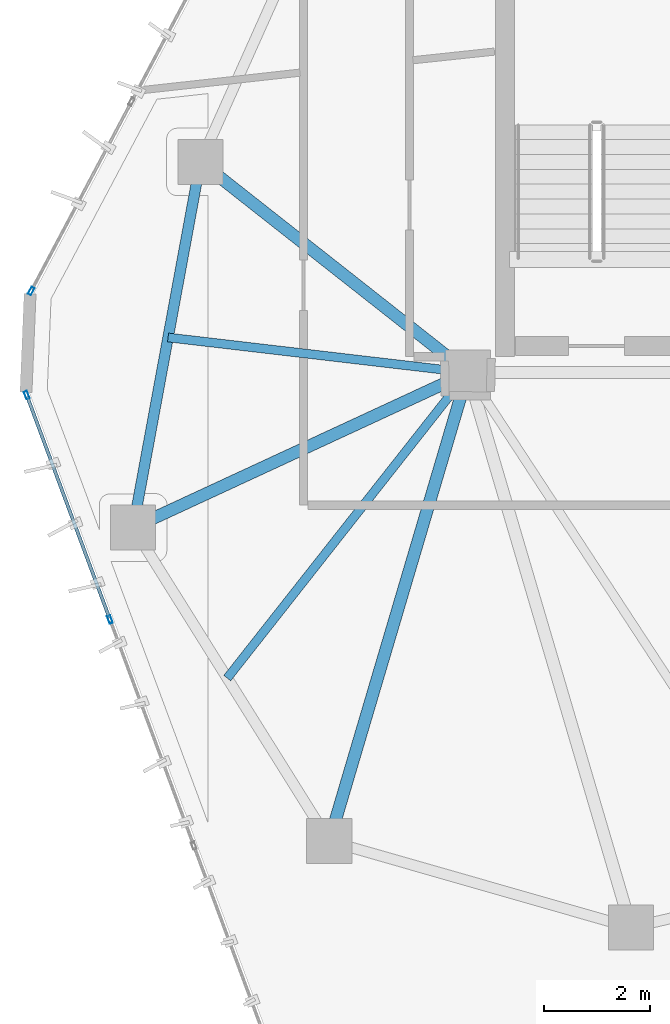
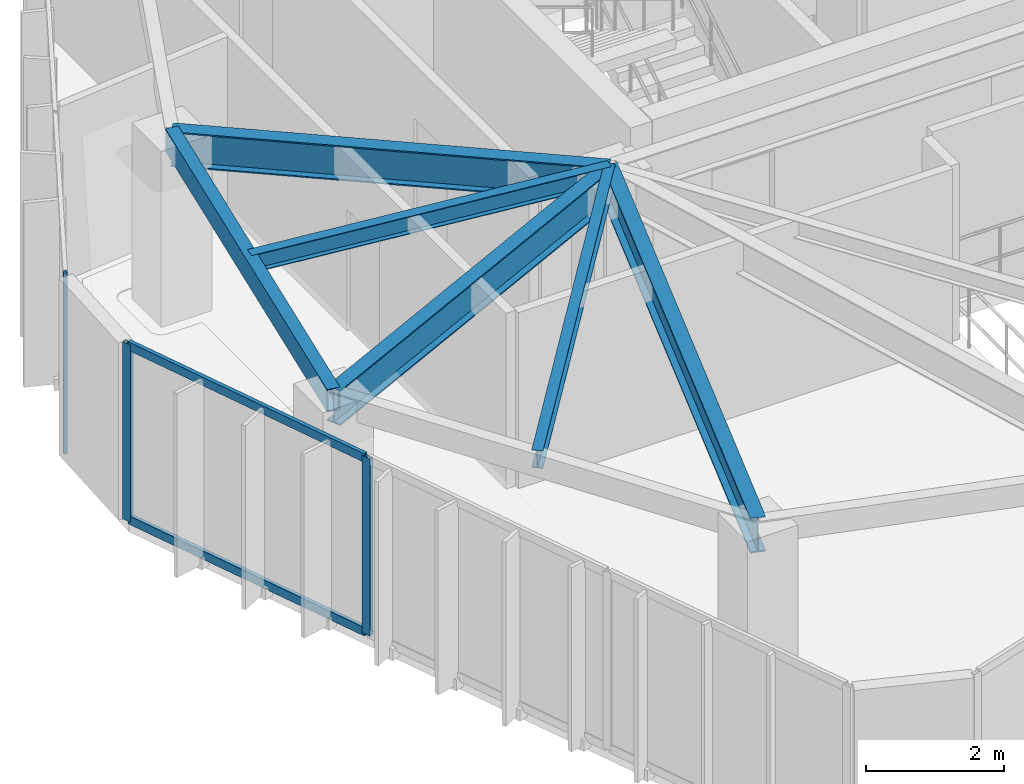
# One storey, part 4 of 19: 6 beams, 5 members, 2 elements without a shape of their own.
"""IFC4 building model written with IfcOpenShell, lengths in metres."""

import ifcopenshell
import ifcopenshell.guid

model = None  # the IFC model being written
_history = None  # IfcOwnerHistory: only IFC2X3 demands one
_inside = {}  # id of a spatial element -> (the spatial element, [elements in it])
_under = {}  # id of a project, library or spatial element -> (it, [spatial elements below it])
_declared = {}  # id of a project -> (the project, [libraries it declares])
_typed = {}  # id of a type object -> (the type object, [elements of that type])
_made_of = {}  # id of a material, layer set ... -> (it, [elements and type objects made of it])


def new_model(schema):
    """Start an empty IFC model of exactly this schema.

    Asked for "IFC4X3", IfcOpenShell would pick the latest addendum, in which some entities
    have other attributes; the version numbers below select the first issue.
    IFC2X3 requires an IfcOwnerHistory on every rooted entity: one is made here for all.
    """
    global model, _history
    if schema == "IFC4X3":
        model = ifcopenshell.file(schema_version=(4, 3, 0, 0))
    else:
        model = ifcopenshell.file(schema=schema)
    _inside.clear()
    _under.clear()
    _declared.clear()
    _typed.clear()
    _made_of.clear()
    _history = None
    if model.schema == "IFC2X3":
        org = make("IfcOrganization", Name="unknown")
        user = make(
            "IfcPersonAndOrganization",
            ThePerson=make("IfcPerson", FamilyName="unknown"),
            TheOrganization=org,
        )
        app = make(
            "IfcApplication",
            ApplicationDeveloper=org,
            Version="unknown",
            ApplicationFullName="unknown",
            ApplicationIdentifier="unknown",
        )
        _history = make(
            "IfcOwnerHistory",
            OwningUser=user,
            OwningApplication=app,
            ChangeAction="ADDED",
            CreationDate=0,
        )
    return model


def make(cls, **values):
    """One entity of the class cls with the attributes given. An attribute that is None is left unset."""
    return model.create_entity(
        cls, **{name: value for name, value in values.items() if value is not None}
    )


def rooted(cls, **values):
    """An entity with a GlobalId (a new one), such as an element, a storey or a relation."""
    return make(cls, GlobalId=ifcopenshell.guid.new(), OwnerHistory=_history, **values)


def si_unit(unit_type, name, prefix=None):
    """IfcSIUnit, for example si_unit("LENGTHUNIT", "METRE", prefix="MILLI")."""
    return make("IfcSIUnit", UnitType=unit_type, Prefix=prefix, Name=name)


def assignment(units):
    """IfcUnitAssignment: the units of a project."""
    return None if units is None else make("IfcUnitAssignment", Units=units)


def point(xyz):
    """IfcCartesianPoint."""
    return None if xyz is None else make("IfcCartesianPoint", Coordinates=xyz)


def direction(xyz):
    """IfcDirection."""
    return None if xyz is None else make("IfcDirection", DirectionRatios=xyz)


def frame(location, z_axis=None, x_axis=None):
    """IfcAxis2Placement3D, a coordinate frame: its origin and axes. An axis left out is left unset."""
    return make(
        "IfcAxis2Placement3D",
        Location=point(location),
        Axis=direction(z_axis),
        RefDirection=direction(x_axis),
    )


def frame_2d(location, x_axis=None):
    """IfcAxis2Placement2D, a coordinate frame in the plane: its origin and x axis."""
    return make(
        "IfcAxis2Placement2D", Location=point(location), RefDirection=direction(x_axis)
    )


def origin():
    """The frame at (0, 0, 0) with its axes left unset."""
    return frame((0.0, 0.0, 0.0))


def origin_2d():
    """The frame at (0, 0) in the plane with its x axis left unset."""
    return frame_2d((0.0, 0.0))


def place(relative_to, where):
    """IfcLocalPlacement: puts the frame where relative to a parent placement (None: the world)."""
    return make(
        "IfcLocalPlacement", PlacementRelTo=relative_to, RelativePlacement=where
    )


def context(
    kind, dimensions, precision=None, world=None, true_north=None, identifier=None
):
    """IfcGeometricRepresentationContext, for example the 3D "Model" context."""
    return make(
        "IfcGeometricRepresentationContext",
        ContextIdentifier=identifier,
        ContextType=kind,
        CoordinateSpaceDimension=dimensions,
        Precision=precision,
        WorldCoordinateSystem=world,
        TrueNorth=true_north,
    )


def subcontext(parent, identifier, kind, view, scale=None):
    """IfcGeometricRepresentationSubContext, for example "Body" below "Model"."""
    return make(
        "IfcGeometricRepresentationSubContext",
        ContextIdentifier=identifier,
        ContextType=kind,
        ParentContext=parent,
        TargetScale=scale,
        TargetView=view,
    )


def project(units=None, contexts=None):
    """IfcProject with its units and contexts."""
    return rooted(
        "IfcProject",
        Name="project",
        RepresentationContexts=contexts,
        UnitsInContext=assignment(units),
    )


def spatial(cls, under=None, at=None, **own):
    """A site, building, storey or space (cls), placed at a placement, below another one or the project."""
    s = rooted(cls, ObjectPlacement=at, **own)
    if under is not None:
        _under.setdefault(under.id(), (under, []))[1].append(s)
    return s


def profile(cls, at=None, kind="AREA", **sizes):
    """A parametric profile (cls). Its sizes go by their IFC names, for example OverallWidth=200.0."""
    return make(cls, ProfileType=kind, Position=at, **sizes)


def hollow_rectangle(**sizes):
    """IfcRectangleHollowProfileDef."""
    return profile("IfcRectangleHollowProfileDef", **sizes)


def i_section(**sizes):
    """IfcIShapeProfileDef."""
    return profile("IfcIShapeProfileDef", **sizes)


def extrude(swept, where, along, depth):
    """IfcExtrudedAreaSolid: the profile swept, set in the frame where, extruded along a direction by depth."""
    return make(
        "IfcExtrudedAreaSolid",
        SweptArea=swept,
        Position=where,
        ExtrudedDirection=direction(along),
        Depth=depth,
    )


def shape(context_of_items, identifier, shape_type, items):
    """IfcShapeRepresentation: the items that make up one representation, for example the "Body"."""
    return make(
        "IfcShapeRepresentation",
        ContextOfItems=context_of_items,
        RepresentationIdentifier=identifier,
        RepresentationType=shape_type,
        Items=items,
    )


def source(mapping_origin, context_of_items, identifier, shape_type, items):
    """IfcRepresentationMap: a shape defined once, which mapped items show again and again."""
    return make(
        "IfcRepresentationMap",
        MappingOrigin=mapping_origin,
        MappedRepresentation=shape(context_of_items, identifier, shape_type, items),
    )


def transform(
    local_origin,
    x_axis=None,
    y_axis=None,
    z_axis=None,
    scale=None,
    scale2=None,
    scale3=None,
    uniform=True,
):
    """IfcCartesianTransformationOperator3D, or its non-uniform kind. x_axis, y_axis, z_axis: its Axis1, 2, 3."""
    if uniform:
        return make(
            "IfcCartesianTransformationOperator3D",
            Axis1=direction(x_axis),
            Axis2=direction(y_axis),
            LocalOrigin=point(local_origin),
            Scale=scale,
            Axis3=direction(z_axis),
        )
    return make(
        "IfcCartesianTransformationOperator3DnonUniform",
        Axis1=direction(x_axis),
        Axis2=direction(y_axis),
        LocalOrigin=point(local_origin),
        Scale=scale,
        Axis3=direction(z_axis),
        Scale2=scale2,
        Scale3=scale3,
    )


def mapped(mapping_source, mapping_target):
    """IfcMappedItem: shows the shape of a source again, moved by a transform."""
    return make(
        "IfcMappedItem", MappingSource=mapping_source, MappingTarget=mapping_target
    )


def material(Name=None, Category=None):
    """IfcMaterial."""
    return make("IfcMaterial", Name=Name, Category=Category)


def layer(
    of_material, thickness, ventilated=None, Name=None, Category=None, Priority=None
):
    """IfcMaterialLayer: one layer of a wall or slab, of a material (None: an air gap)."""
    return make(
        "IfcMaterialLayer",
        Material=of_material,
        LayerThickness=thickness,
        IsVentilated=ventilated,
        Name=Name,
        Category=Category,
        Priority=Priority,
    )


def layer_set(layers, Name=None):
    """IfcMaterialLayerSet."""
    return make("IfcMaterialLayerSet", MaterialLayers=layers, LayerSetName=Name)


def material_profile(
    of_material, cross_section, Name=None, Category=None, Priority=None
):
    """IfcMaterialProfile: a cross section and its material."""
    return make(
        "IfcMaterialProfile",
        Name=Name,
        Material=of_material,
        Profile=cross_section,
        Priority=Priority,
        Category=Category,
    )


def profile_set(profiles, Name=None, composite=None):
    """IfcMaterialProfileSet."""
    return make(
        "IfcMaterialProfileSet",
        Name=Name,
        MaterialProfiles=profiles,
        CompositeProfile=composite,
    )


def made_of(thing, what):
    """Note that an element or type object is made of a material, layer set ...; save() writes the relation."""
    if what is not None:
        _made_of.setdefault(what.id(), (what, []))[1].append(thing)
    return thing


def type_object(cls, material=None, **own):
    """A type object (cls), such as IfcWallType, which elements share."""
    return made_of(rooted(cls, **own), material)


def type_shapes(of_type, sources):
    """Give a type object the sources (RepresentationMaps) that its elements show as mapped items."""
    of_type.RepresentationMaps = sources


def element(
    cls,
    number,
    at=None,
    inside=None,
    cuts=None,
    type_object=None,
    material=None,
    context=None,
    identifier="Body",
    shape_type=None,
    held_by="IfcProductDefinitionShape",
    body=None,
    shapes=None,
    **own,
):
    """One element of the class cls, such as IfcWall. Its Tag is "e" and its number.

    at: its placement. inside: the storey or other place that contains it. cuts: it is an
    opening in that element (IfcRelVoidsElement). A single representation is given by context,
    identifier, shape_type and body (its items); several are given by shapes. held_by: the class
    of the entity that holds the representations. save() writes the other relations.
    """
    e = rooted(cls, Tag="e%d" % number, ObjectPlacement=at, **own)
    if body is not None:
        shapes = [shape(context, identifier, shape_type, body)]
    if shapes is not None:
        e.Representation = make(held_by, Representations=shapes)
    if inside is not None:
        _inside.setdefault(inside.id(), (inside, []))[1].append(e)
    if cuts is not None:
        rooted(
            "IfcRelVoidsElement", RelatingBuildingElement=cuts, RelatedOpeningElement=e
        )
    if type_object is not None:
        _typed.setdefault(type_object.id(), (type_object, []))[1].append(e)
    return made_of(e, material)


def aggregate(whole, parts):
    """IfcRelAggregates: a whole, such as a stair, and the parts it consists of."""
    return rooted("IfcRelAggregates", RelatingObject=whole, RelatedObjects=parts)


def save(model, path):
    """Write the relations noted so far, then the file.

    IfcRelAggregates (storeys below a building ...), IfcRelContainedInSpatialStructure (elements
    in a storey), IfcRelDefinesByType, IfcRelAssociatesMaterial and IfcRelDeclares: one each for
    every whole, place, type object, material and project.
    """
    for whole, parts in _under.values():
        aggregate(whole, parts)
    for where, things in _inside.values():
        rooted(
            "IfcRelContainedInSpatialStructure",
            RelatedElements=things,
            RelatingStructure=where,
        )
    for kind, things in _typed.values():
        rooted("IfcRelDefinesByType", RelatedObjects=things, RelatingType=kind)
    for what, things in _made_of.values():
        rooted("IfcRelAssociatesMaterial", RelatedObjects=things, RelatingMaterial=what)
    for by, libraries in _declared.values():
        rooted("IfcRelDeclares", RelatingContext=by, RelatedDefinitions=libraries)
    model.write(path)


model = new_model("IFC4")

# Units and contexts
model_context = context("Model", 3, precision=1e-05, world=origin(), true_north=direction((0.0, 1.0)))
body_context = subcontext(model_context, "Body", "Model", "MODEL_VIEW")
ifc_project = project(units=[si_unit("LENGTHUNIT", "METRE"), si_unit("AREAUNIT", "SQUARE_METRE"), si_unit("VOLUMEUNIT", "CUBIC_METRE"), si_unit("PLANEANGLEUNIT", "RADIAN"), si_unit("MASSUNIT", "GRAM", prefix="KILO")], contexts=[model_context])

# Site, building, storey
site_placement = place(None, origin())
site = spatial("IfcSite", under=ifc_project, at=site_placement, CompositionType="ELEMENT")
building_placement = place(site_placement, origin())
building = spatial("IfcBuilding", under=site, at=building_placement, Name="Talar Marvaseh", CompositionType="ELEMENT")
storey_placement = place(building_placement, frame((0.0, 0.0, 288.39990234375)))
storey = spatial("IfcBuildingStorey", under=building, at=storey_placement, Name="L77", CompositionType="ELEMENT", Elevation=288.39990234375)

# Beams
ifc_material_1 = material(Name="Steel S355", Category="steel")
ifc_material_profile_1 = material_profile(ifc_material_1, hollow_rectangle(XDim=0.199951171875, YDim=0.39990234375, WallThickness=0.013916015625, at=origin_2d()), Name="RHS400x200x14")
ifc_profile_set_1 = profile_set([ifc_material_profile_1], Name="Steel S355")
beam_type_1 = type_object("IfcBeamType", Name="Zone 3 Perimeter Spandrel Beam RHS400x200x14", PredefinedType="SPANDREL", material=ifc_profile_set_1)
beam_1_placement = place(storey_placement, frame((12.388916015625, 22.576904296875, 2.940185546875), z_axis=(0.18106135948, 0.983471801377, 0.0), x_axis=(-0.983471801377, 0.18106135948, 0.0)))
element("IfcBeam", 1, at=beam_1_placement, inside=storey, type_object=beam_type_1, Name="L77 Zone 3 Perimeter Spandrel Beam RHS400x200x14", PredefinedType="SPANDREL", context=body_context, shape_type="SweptSolid", body=[
    extrude(hollow_rectangle(XDim=0.199951171875, YDim=0.39990234375, WallThickness=0.013916015625, at=origin_2d()), origin(), (0.0, 0.0, 1.0), 7.0087890625),
])
ifc_material_profile_2 = material_profile(ifc_material_1, i_section(OverallWidth=0.166015625, OverallDepth=0.31298828125, WebThickness=0.006591796875, FlangeThickness=0.01123046875, at=origin_2d()), Name="W310x45")
ifc_profile_set_2 = profile_set([ifc_material_profile_2], Name="Steel S355")
beam_type_2 = type_object("IfcBeamType", Name="Zone 3 Secondary Floor Joist W310x45", PredefinedType="JOIST", material=ifc_profile_set_2)
beam_2_placement = place(storey_placement, frame((13.048828125, 26.161376953125, 2.983642578125), z_axis=(0.993221011039, -0.116241228622, 0.0), x_axis=(0.116241228622, 0.993221011039, 0.0)))
element("IfcBeam", 2, at=beam_2_placement, inside=storey, type_object=beam_type_2, Name="L77 Zone 3 Secondary Floor Joist W310x45", PredefinedType="JOIST", context=body_context, shape_type="SweptSolid", body=[
    extrude(i_section(OverallWidth=0.166015625, OverallDepth=0.31298828125, WebThickness=0.006591796875, FlangeThickness=0.01123046875, at=origin_2d()), origin(), (0.0, 0.0, 1.0), 5.689697265625),
])
beam_3_placement = place(storey_placement, frame((14.1640625, 19.74072265625, 2.983642578125), z_axis=(0.618727137907, 0.785605962819, 0.0), x_axis=(-0.785605962819, 0.618727137907, 0.0)))
element("IfcBeam", 3, at=beam_3_placement, inside=storey, type_object=beam_type_2, Name="L77 Zone 3 Secondary Floor Joist W310x45", PredefinedType="JOIST", context=body_context, shape_type="SweptSolid", body=[
    extrude(i_section(OverallWidth=0.166015625, OverallDepth=0.31298828125, WebThickness=0.006591796875, FlangeThickness=0.01123046875, at=origin_2d()), origin(), (0.0, 0.0, 1.0), 7.3310546875),
])
ifc_material_profile_3 = material_profile(ifc_material_1, i_section(OverallWidth=0.22998046875, OverallDepth=0.616943359375, WebThickness=0.01318359375, FlangeThickness=0.022216796875, at=origin_2d()), Name="W610x140")
ifc_profile_set_3 = profile_set([ifc_material_profile_3], Name="Steel S355")
beam_type_3 = type_object("IfcBeamType", Name="Zone 4 Radial Floor Girder W610x140", PredefinedType="BEAM", material=ifc_profile_set_3)
beam_4_placement = place(storey_placement, frame((12.388916015625, 22.576904296875, 2.83154296875), z_axis=(0.907394527995, 0.420279871709, 0.0), x_axis=(-0.420279871709, 0.907394527995, 0.0)))
element("IfcBeam", 4, at=beam_4_placement, inside=storey, type_object=beam_type_3, Name="L77 Zone 4 Radial Floor Girder W610x140", PredefinedType="BEAM", context=body_context, shape_type="SweptSolid", body=[
    extrude(i_section(OverallWidth=0.22998046875, OverallDepth=0.616943359375, WebThickness=0.01318359375, FlangeThickness=0.022216796875, at=origin_2d()), origin(), (0.0, 0.0, 1.0), 6.955078125),
])
beam_5_placement = place(storey_placement, frame((13.657958984375, 29.469970703125, 2.83154296875), z_axis=(0.785681617372, -0.618631066245, 0.0), x_axis=(0.618631066245, 0.785681617372, 0.0)))
element("IfcBeam", 5, at=beam_5_placement, inside=storey, type_object=beam_type_3, Name="L77 Zone 4 Radial Floor Girder W610x140", PredefinedType="BEAM", context=body_context, shape_type="SweptSolid", body=[
    extrude(i_section(OverallWidth=0.22998046875, OverallDepth=0.616943359375, WebThickness=0.01318359375, FlangeThickness=0.022216796875, at=origin_2d()), origin(), (0.0, 0.0, 1.0), 6.417236328125),
])
beam_6_placement = place(storey_placement, frame((16.0869140625, 16.66796875, 2.83154296875), z_axis=(0.283702937759, 0.958912218666, 0.0), x_axis=(-0.958912218666, 0.283702937759, 0.0)))
element("IfcBeam", 6, at=beam_6_placement, inside=storey, type_object=beam_type_3, Name="L77 Zone 4 Radial Floor Girder W610x140", PredefinedType="BEAM", context=body_context, shape_type="SweptSolid", body=[
    extrude(i_section(OverallWidth=0.22998046875, OverallDepth=0.616943359375, WebThickness=0.01318359375, FlangeThickness=0.022216796875, at=origin_2d()), origin(), (0.0, 0.0, 1.0), 9.21044921875),
])

# Curtain wall, members
ifc_material_2 = material(Name="Architectural Aluminium", Category="aluminium")
ifc_layer = layer(ifc_material_2, 0.179931640625)
ifc_layer_set = layer_set([ifc_layer], Name="Architectural Aluminium")
curtain_wall_type = type_object("IfcCurtainWallType", Name="Unitised High-Wind Sky Curtain Wall Z4", PredefinedType="NOTDEFINED", material=ifc_layer_set)
curtain_wall_1_placement = place(storey_placement, origin())
curtain_wall_1 = element("IfcCurtainWall", 7, at=curtain_wall_1_placement, inside=storey, type_object=curtain_wall_type, Name="L77 Unitised High-Wind Sky Curtain Wall Z4", PredefinedType="NOTDEFINED")
ifc_material_profile_4 = material_profile(ifc_material_2, hollow_rectangle(XDim=0.06494140625, YDim=0.14990234375, WallThickness=0.00390625, at=origin_2d()), Name="RHS150x65x4")
ifc_profile_set_4 = profile_set([ifc_material_profile_4], Name="Architectural Aluminium")
member_type_1 = type_object("IfcMemberType", Name="Unitised Curtain Wall Slim Transom RHS150x65x4", PredefinedType="USERDEFINED", material=ifc_profile_set_4)
shared_shape_1 = source(origin(), body_context, "Body", "SweptSolid", [
    extrude(hollow_rectangle(XDim=0.06494140625, YDim=0.14990234375, WallThickness=0.00390625, at=origin_2d()), origin(), (0.0, 0.0, 1.0), 4.447509765625),
])
type_shapes(member_type_1, [shared_shape_1])
member_1_placement = place(storey_placement, frame((11.94287109375, 20.8740234375, 0.03271484375), z_axis=(-0.347704086, 0.937604324104, 0.0), x_axis=(-0.937604324104, -0.347704086, 0.0)))
member_1 = element("IfcMember", 8, at=member_1_placement, type_object=member_type_1, Name="CW-Z4 transom 3.1", ObjectType="TRANSOM", PredefinedType="USERDEFINED", context=body_context, shape_type="MappedRepresentation", body=[
    mapped(shared_shape_1, transform((0.0, 0.0, 0.0), x_axis=(1.0, 0.0, 0.0), y_axis=(0.0, 1.0, 0.0), z_axis=(0.0, 0.0, 1.0), scale=1.0)),
])
member_2_placement = place(storey_placement, frame((11.94287109375, 20.8740234375, 3.107666015625), z_axis=(-0.347704086, 0.937604324104, 0.0), x_axis=(-0.937604324104, -0.347704086, 0.0)))
member_2 = element("IfcMember", 9, at=member_2_placement, type_object=member_type_1, Name="CW-Z4 transom 3.2", ObjectType="TRANSOM", PredefinedType="USERDEFINED", context=body_context, shape_type="MappedRepresentation", body=[
    mapped(shared_shape_1, transform((0.0, 0.0, 0.0), x_axis=(1.0, 0.0, 0.0), y_axis=(0.0, 1.0, 0.0), z_axis=(0.0, 0.0, 1.0), scale=1.0)),
])
ifc_material_profile_5 = material_profile(ifc_material_2, hollow_rectangle(XDim=0.06494140625, YDim=0.14990234375, WallThickness=0.00390625, at=origin_2d()), Name="RHS150x65x4")
ifc_profile_set_5 = profile_set([ifc_material_profile_5], Name="Architectural Aluminium")
member_type_2 = type_object("IfcMemberType", Name="Unitised Curtain Wall Slim Mullion RHS150x65x4", PredefinedType="MULLION", material=ifc_profile_set_5)
shared_shape_2 = source(origin(), body_context, "Body", "SweptSolid", [
    extrude(hollow_rectangle(XDim=0.06494140625, YDim=0.14990234375, WallThickness=0.00390625, at=origin_2d()), origin(), (0.0, 0.0, 1.0), 3.14013671875),
])
type_shapes(member_type_2, [shared_shape_2])
member_3_placement = place(storey_placement, frame((11.9541015625, 20.84375, 0.0), z_axis=(0.0, 0.0, 1.0), x_axis=(-0.937610494719, -0.347687446125, 0.0)))
member_3 = element("IfcMember", 10, at=member_3_placement, type_object=member_type_2, Name="CW-Z4 mullion 3", PredefinedType="MULLION", context=body_context, shape_type="MappedRepresentation", body=[
    mapped(shared_shape_2, transform((0.0, 0.0, 0.0), x_axis=(1.0, 0.0, 0.0), y_axis=(0.0, 1.0, 0.0), z_axis=(0.0, 0.0, 1.0), scale=1.0)),
])
member_4_placement = place(storey_placement, frame((10.38525390625, 25.074462890625, 0.0), z_axis=(0.0, 0.0, 1.0), x_axis=(-0.937610494719, -0.347687446125, 0.0)))
member_4 = element("IfcMember", 11, at=member_4_placement, type_object=member_type_2, Name="CW-Z4 mullion 4", PredefinedType="MULLION", context=body_context, shape_type="MappedRepresentation", body=[
    mapped(shared_shape_2, transform((0.0, 0.0, 0.0), x_axis=(1.0, 0.0, 0.0), y_axis=(0.0, 1.0, 0.0), z_axis=(0.0, 0.0, 1.0), scale=1.0)),
])
aggregate(curtain_wall_1, [member_3, member_4, member_1, member_2])

# Curtain wall, member
curtain_wall_2_placement = place(storey_placement, origin())
curtain_wall_2 = element("IfcCurtainWall", 12, at=curtain_wall_2_placement, inside=storey, type_object=curtain_wall_type, Name="L77 Unitised High-Wind Sky Curtain Wall Z4", PredefinedType="NOTDEFINED")
member_5_placement = place(storey_placement, frame((10.46923828125, 27.03759765625, 0.0), z_axis=(0.0, 0.0, 1.0), x_axis=(-0.883505770369, 0.468420274674, 0.0)))
member_5 = element("IfcMember", 13, at=member_5_placement, type_object=member_type_2, Name="CW-Z4 mullion 1", PredefinedType="MULLION", context=body_context, shape_type="MappedRepresentation", body=[
    mapped(shared_shape_2, transform((0.0, 0.0, 0.0), x_axis=(1.0, 0.0, 0.0), y_axis=(0.0, 1.0, 0.0), z_axis=(0.0, 0.0, 1.0), scale=1.0)),
])
aggregate(curtain_wall_2, [member_5])

save(model, "model.ifc")
